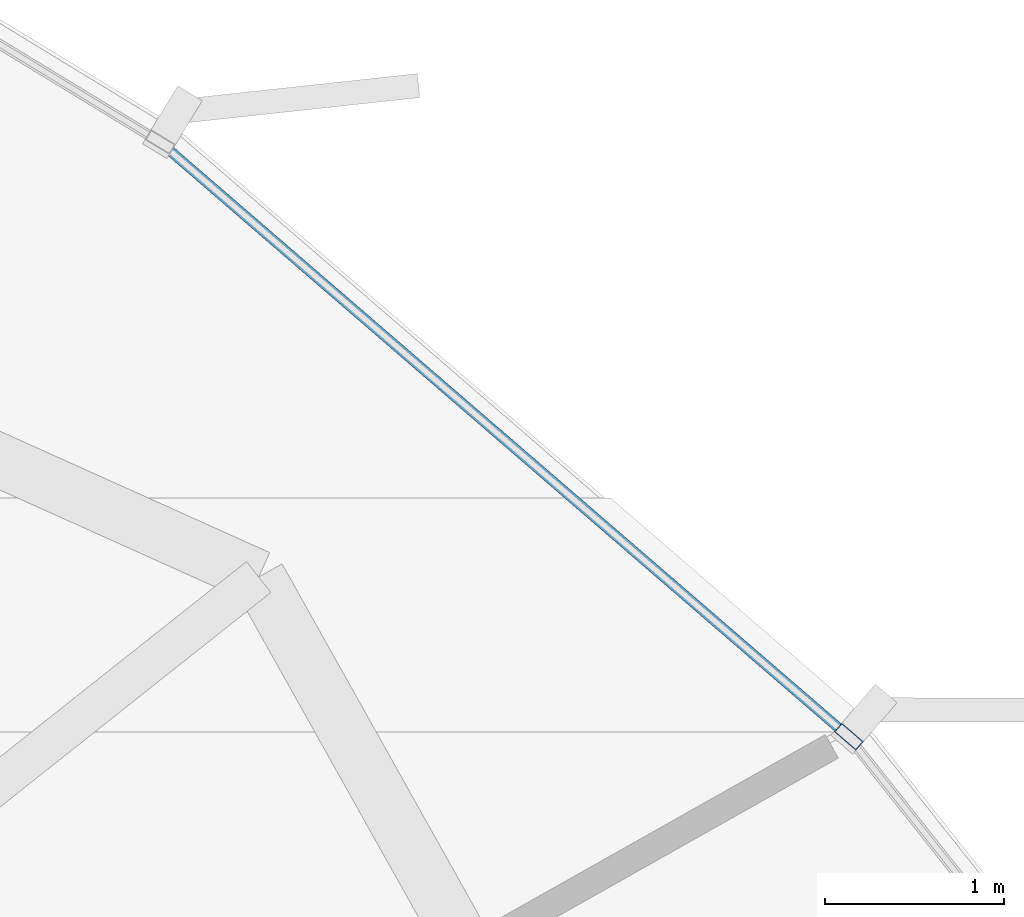
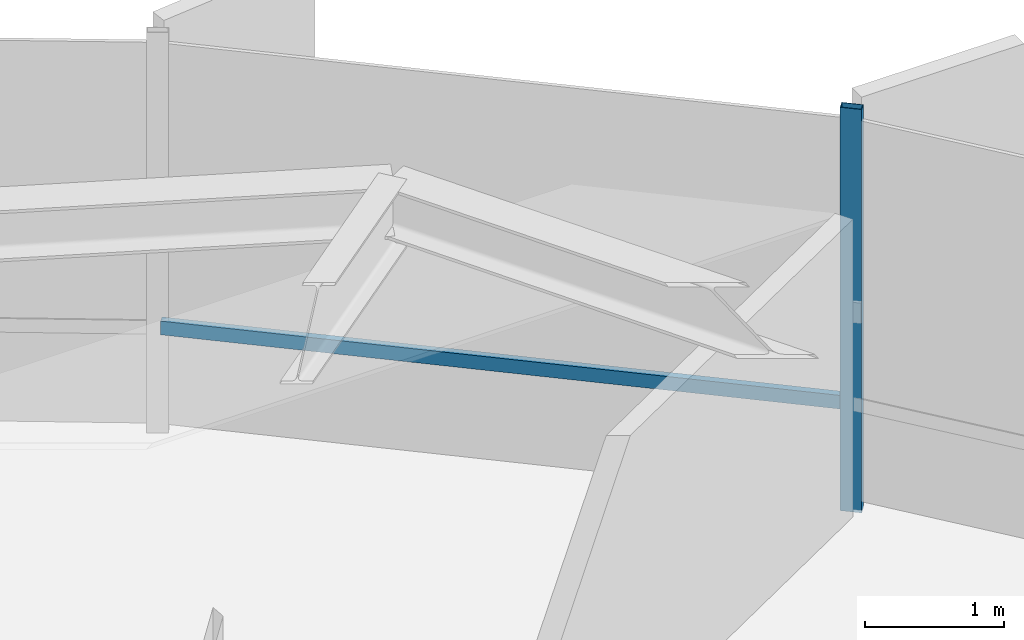
# One storey, part 26 of 38: 2 members, 1 element without a shape of its own.
"""IFC4 building model written with IfcOpenShell, lengths in metres."""

from ifc_helpers import new_model, si_unit, direction, frame, origin, origin_2d, place, context, subcontext, project, spatial, hollow_rectangle, extrude, source, transform, mapped, material, layer, layer_set, material_profile, profile_set, type_object, element, aggregate, save


model = new_model("IFC4")

# Units and contexts
model_context = context("Model", 3, precision=1e-05, world=origin(), true_north=direction((0.0, 1.0)))
body_context = subcontext(model_context, "Body", "Model", "MODEL_VIEW")
ifc_project = project(units=[si_unit("LENGTHUNIT", "METRE"), si_unit("AREAUNIT", "SQUARE_METRE"), si_unit("VOLUMEUNIT", "CUBIC_METRE"), si_unit("PLANEANGLEUNIT", "RADIAN"), si_unit("MASSUNIT", "GRAM", prefix="KILO"), si_unit("THERMODYNAMICTEMPERATUREUNIT", "KELVIN")], contexts=[model_context])

# Site, building, storey
site_placement = place(None, origin())
site = spatial("IfcSite", under=ifc_project, at=site_placement, CompositionType="ELEMENT")
building_placement = place(site_placement, origin())
building = spatial("IfcBuilding", under=site, at=building_placement, Name="Kethvar Cultural Tower", CompositionType="ELEMENT")
storey_placement = place(building_placement, frame((0.0, 0.0, 52.39990234375)))
storey = spatial("IfcBuildingStorey", under=building, at=storey_placement, Name="L12", CompositionType="ELEMENT", Elevation=52.39990234375)

# Curtain wall, members
ifc_material = material(Name="Aluminium 6063-T6", Category="aluminium")
ifc_layer = layer(ifc_material, 0.179931640625, Name="Aluminium 6063-T6", Category="aluminium")
ifc_layer_set = layer_set([ifc_layer], Name="Aluminium 6063-T6 (180 mm)")
curtain_wall_type = type_object("IfcCurtainWallType", Name="CW-SYS-02-Z1", PredefinedType="NOTDEFINED", material=ifc_layer_set)
curtain_wall_placement = place(storey_placement, origin())
curtain_wall = element("IfcCurtainWall", 1, at=curtain_wall_placement, inside=storey, type_object=curtain_wall_type, Name="L12 Curtain Wall Run 01", PredefinedType="NOTDEFINED")
ifc_material_profile_1 = material_profile(ifc_material, hollow_rectangle(XDim=0.06494140625, YDim=0.159912109375, WallThickness=0.0048828125, at=origin_2d()), Name="Aluminium 6063-T6 — RHS160x65x5")
ifc_profile_set_1 = profile_set([ifc_material_profile_1], Name="Aluminium 6063-T6 — RHS160x65x5")
member_type_1 = type_object("IfcMemberType", Name="CW-SYS-02-Z1-MUL", PredefinedType="MULLION", material=ifc_profile_set_1)
shared_shape_1 = source(origin(), body_context, "Body", "SweptSolid", [
    extrude(hollow_rectangle(XDim=0.06494140625, YDim=0.159912109375, WallThickness=0.0048828125, at=origin_2d()), origin(), (0.0, 0.0, 1.0), 3.550048828125),
])
member_1_placement = place(storey_placement, frame((74.14892578125, 43.283203125, 0.0), z_axis=(0.0, 0.0, 1.0), x_axis=(-0.65339417948, -0.757017863872, 0.0)))
member_1 = element("IfcMember", 2, at=member_1_placement, type_object=member_type_1, Name="CW-L12-R01 Mullion 4", PredefinedType="MULLION", context=body_context, shape_type="MappedRepresentation", body=[
    mapped(shared_shape_1, transform((0.0, 0.0, 0.0), scale=1.0)),
])
ifc_material_profile_2 = material_profile(ifc_material, hollow_rectangle(XDim=0.054931640625, YDim=0.1201171875, WallThickness=0.00390625, at=origin_2d()), Name="Aluminium 6063-T6 — RHS120x55x4")
ifc_profile_set_2 = profile_set([ifc_material_profile_2], Name="Aluminium 6063-T6 — RHS120x55x4")
member_type_2 = type_object("IfcMemberType", Name="CW-SYS-02-Z1-TRN", PredefinedType="USERDEFINED", material=ifc_profile_set_2)
shared_shape_2 = source(origin(), body_context, "Body", "SweptSolid", [
    extrude(hollow_rectangle(XDim=0.054931640625, YDim=0.1201171875, WallThickness=0.00390625, at=origin_2d()), origin(), (0.0, 0.0, 1.0), 5.02001953125),
])
member_2_placement = place(storey_placement, frame((74.113525390625, 43.313720703125, 0.9501953125), z_axis=(-0.757024180927, 0.653386860514, 0.0), x_axis=(-0.653386860514, -0.757024180927, 0.0)))
member_2 = element("IfcMember", 3, at=member_2_placement, type_object=member_type_2, Name="CW-L12-R01 Transom 4", ObjectType="TRANSOM", PredefinedType="USERDEFINED", context=body_context, shape_type="MappedRepresentation", body=[
    mapped(shared_shape_2, transform((0.0, 0.0, 0.0), scale=1.0)),
])
aggregate(curtain_wall, [member_1, member_2])

save(model, "model.ifc")
